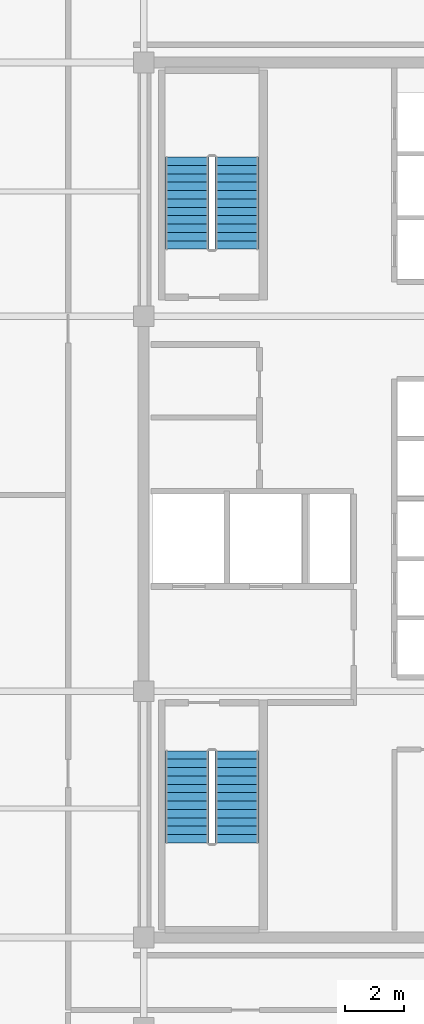
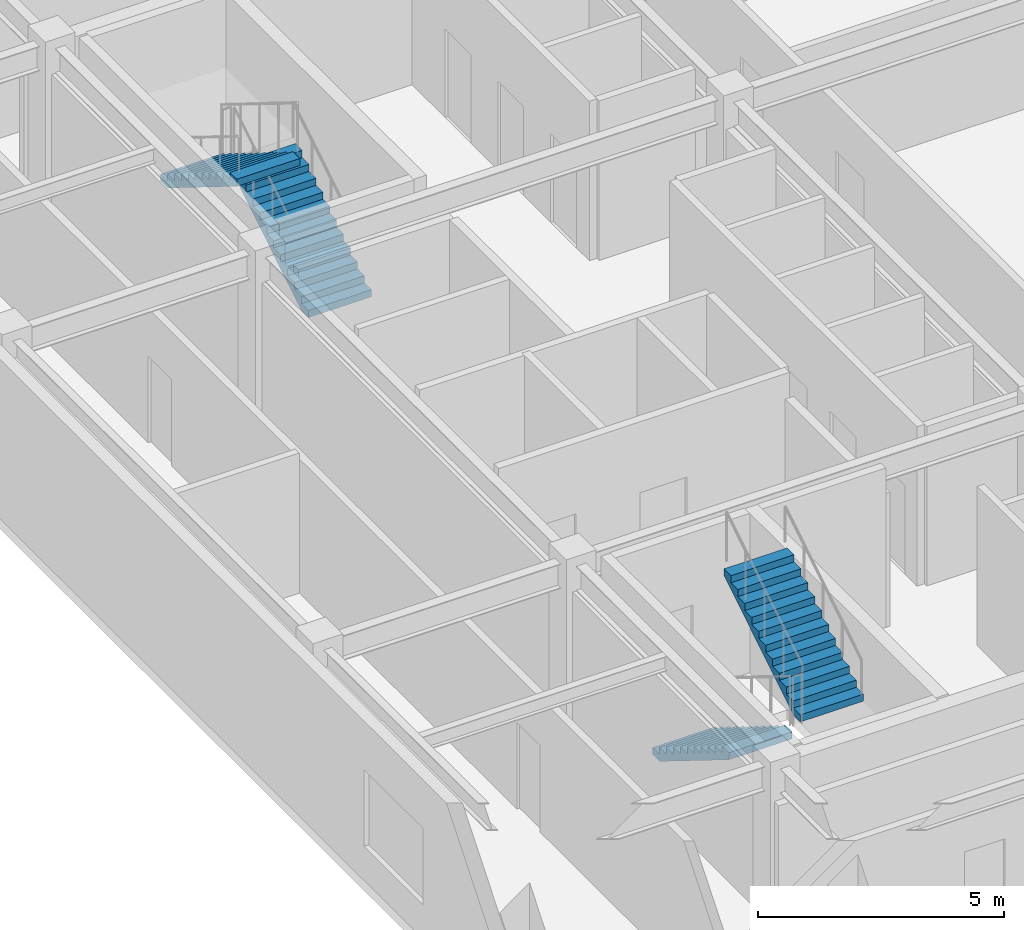
# One storey, part 8 of 11: 4 stair flights, 2 elements without a shape of their own.
"""IFC4 building model written with IfcOpenShell, lengths in metres."""

from ifc_helpers import new_model, si_unit, direction, frame, origin, place, context, subcontext, project, spatial, polyline, outline, extrude, material, type_object, element, aggregate, save


model = new_model("IFC4")

# Units and contexts
model_context = context("Model", 3, precision=1e-05, world=origin(), true_north=direction((0.0, 1.0)))
body_context = subcontext(model_context, "Body", "Model", "MODEL_VIEW")
ifc_project = project(units=[si_unit("LENGTHUNIT", "METRE"), si_unit("AREAUNIT", "SQUARE_METRE"), si_unit("VOLUMEUNIT", "CUBIC_METRE"), si_unit("PLANEANGLEUNIT", "RADIAN"), si_unit("MASSUNIT", "GRAM", prefix="KILO")], contexts=[model_context])

# Site, building, storey
site_placement = place(None, origin())
site = spatial("IfcSite", under=ifc_project, at=site_placement, CompositionType="ELEMENT")
building_placement = place(site_placement, origin())
building = spatial("IfcBuilding", under=site, at=building_placement, Name="Ochreholt Gables", CompositionType="ELEMENT")
storey_placement = place(building_placement, frame((0.0, 0.0, 192.0)))
storey = spatial("IfcBuildingStorey", under=building, at=storey_placement, Name="L50", CompositionType="ELEMENT", Elevation=192.0)

# Stair, stair flights
ifc_material = material(Name="Concrete 40 MPa", Category="concrete")
stair_type_1 = type_object("IfcStairType", Name="STAIR-CORE-ST-1", PredefinedType="HALF_TURN_STAIR", material=ifc_material)
stair_1_placement = place(storey_placement, origin())
stair_1 = element("IfcStair", 1, at=stair_1_placement, inside=storey, type_object=stair_type_1, Name="L50 Core Exit Stair 1", PredefinedType="HALF_TURN_STAIR")
stair_flight_type = type_object("IfcStairFlightType", Name="FLIGHT-ST-1480-1750", PredefinedType="STRAIGHT", material=ifc_material)
stair_flight_1_placement = place(storey_placement, frame((25.659912109375, 15.5400390625, 0.0), z_axis=(0.0, 0.0, 1.0), x_axis=(0.0, -1.0, 0.0)))
stair_flight_1 = element("IfcStairFlight", 2, at=stair_flight_1_placement, type_object=stair_flight_type, Name="ST-1 flight 1", NumberOfRisers=12, NumberOfTreads=11, PredefinedType="STRAIGHT", RiserHeight=0.175, TreadLength=0.282, context=body_context, shape_type="SweptSolid", body=[
    extrude(outline(polyline([(0.0, 0.0), (0.0, 0.175048828125), (0.281982421875, 0.175048828125), (0.281982421875, 0.35009765625), (0.56396484375, 0.35009765625), (0.56396484375, 0.52490234375), (0.845947265625, 0.52490234375), (0.845947265625, 0.699951171875), (1.1279296875, 0.699951171875), (1.1279296875, 0.875), (1.409912109375, 0.875), (1.409912109375, 1.050048828125), (1.69189453125, 1.050048828125), (1.69189453125, 1.22509765625), (1.97412109375, 1.22509765625), (1.97412109375, 1.39990234375), (2.256103515625, 1.39990234375), (2.256103515625, 1.574951171875), (2.5380859375, 1.574951171875), (2.5380859375, 1.75), (2.820068359375, 1.75), (2.820068359375, 1.925048828125), (3.10205078125, 1.925048828125), (3.10205078125, 2.10009765625), (3.10205078125, 1.74853515625), (0.2841796875, 0.0), (0.0, 0.0)])), frame((0.0, 0.739990234375, 0.0), z_axis=(0.0, -1.0, 0.0), x_axis=(1.0, 0.0, 0.0)), (0.0, 0.0, 1.0), 1.47998046875),
])
stair_flight_2_placement = place(storey_placement, frame((27.340087890625, 12.43798828125, 2.10009765625), z_axis=(0.0, 0.0, 1.0), x_axis=(0.0, 1.0, 0.0)))
stair_flight_2 = element("IfcStairFlight", 3, at=stair_flight_2_placement, type_object=stair_flight_type, Name="ST-1 flight 2", NumberOfRisers=12, NumberOfTreads=11, PredefinedType="STRAIGHT", RiserHeight=0.175, TreadLength=0.282, context=body_context, shape_type="SweptSolid", body=[
    extrude(outline(polyline([(0.0, 0.0), (0.0, 0.175048828125), (0.281982421875, 0.175048828125), (0.281982421875, 0.35009765625), (0.56396484375, 0.35009765625), (0.56396484375, 0.52490234375), (0.845947265625, 0.52490234375), (0.845947265625, 0.699951171875), (1.1279296875, 0.699951171875), (1.1279296875, 0.875), (1.409912109375, 0.875), (1.409912109375, 1.050048828125), (1.69189453125, 1.050048828125), (1.69189453125, 1.22509765625), (1.97412109375, 1.22509765625), (1.97412109375, 1.39990234375), (2.256103515625, 1.39990234375), (2.256103515625, 1.574951171875), (2.5380859375, 1.574951171875), (2.5380859375, 1.75), (2.820068359375, 1.75), (2.820068359375, 1.925048828125), (3.10205078125, 1.925048828125), (3.10205078125, 2.10009765625), (3.10205078125, 1.74853515625), (0.2841796875, 0.0), (0.0, 0.0)])), frame((0.0, 0.739990234375, 0.0), z_axis=(0.0, -1.0, 0.0), x_axis=(1.0, 0.0, 0.0)), (0.0, 0.0, 1.0), 1.47998046875),
])
aggregate(stair_1, [stair_flight_1, stair_flight_2])

stair_type_2 = type_object("IfcStairType", Name="STAIR-CORE-ST-2", PredefinedType="HALF_TURN_STAIR", material=ifc_material)
stair_2_placement = place(storey_placement, origin())
stair_2 = element("IfcStair", 4, at=stair_2_placement, inside=storey, type_object=stair_type_2, Name="L50 Core Exit Stair 2", PredefinedType="HALF_TURN_STAIR")
stair_flight_3_placement = place(storey_placement, frame((27.340087890625, 32.4599609375, 0.0), z_axis=(0.0, 0.0, 1.0), x_axis=(0.0, 1.0, 0.0)))
stair_flight_3 = element("IfcStairFlight", 5, at=stair_flight_3_placement, type_object=stair_flight_type, Name="ST-2 flight 1", NumberOfRisers=12, NumberOfTreads=11, PredefinedType="STRAIGHT", RiserHeight=0.175, TreadLength=0.282, context=body_context, shape_type="SweptSolid", body=[
    extrude(outline(polyline([(0.0, 0.0), (0.0, 0.175048828125), (0.281982421875, 0.175048828125), (0.281982421875, 0.35009765625), (0.56396484375, 0.35009765625), (0.56396484375, 0.52490234375), (0.845947265625, 0.52490234375), (0.845947265625, 0.699951171875), (1.1279296875, 0.699951171875), (1.1279296875, 0.875), (1.409912109375, 0.875), (1.409912109375, 1.050048828125), (1.69189453125, 1.050048828125), (1.69189453125, 1.22509765625), (1.97412109375, 1.22509765625), (1.97412109375, 1.39990234375), (2.256103515625, 1.39990234375), (2.256103515625, 1.574951171875), (2.5380859375, 1.574951171875), (2.5380859375, 1.75), (2.820068359375, 1.75), (2.820068359375, 1.925048828125), (3.10205078125, 1.925048828125), (3.10205078125, 2.10009765625), (3.10205078125, 1.74853515625), (0.2841796875, 0.0), (0.0, 0.0)])), frame((0.0, 0.739990234375, 0.0), z_axis=(0.0, -1.0, 0.0), x_axis=(1.0, 0.0, 0.0)), (0.0, 0.0, 1.0), 1.47998046875),
])
stair_flight_4_placement = place(storey_placement, frame((25.659912109375, 35.56201171875, 2.10009765625), z_axis=(0.0, 0.0, 1.0), x_axis=(0.0, -1.0, 0.0)))
stair_flight_4 = element("IfcStairFlight", 6, at=stair_flight_4_placement, type_object=stair_flight_type, Name="ST-2 flight 2", NumberOfRisers=12, NumberOfTreads=11, PredefinedType="STRAIGHT", RiserHeight=0.175, TreadLength=0.282, context=body_context, shape_type="SweptSolid", body=[
    extrude(outline(polyline([(0.0, 0.0), (0.0, 0.175048828125), (0.281982421875, 0.175048828125), (0.281982421875, 0.35009765625), (0.56396484375, 0.35009765625), (0.56396484375, 0.52490234375), (0.845947265625, 0.52490234375), (0.845947265625, 0.699951171875), (1.1279296875, 0.699951171875), (1.1279296875, 0.875), (1.409912109375, 0.875), (1.409912109375, 1.050048828125), (1.69189453125, 1.050048828125), (1.69189453125, 1.22509765625), (1.97412109375, 1.22509765625), (1.97412109375, 1.39990234375), (2.256103515625, 1.39990234375), (2.256103515625, 1.574951171875), (2.5380859375, 1.574951171875), (2.5380859375, 1.75), (2.820068359375, 1.75), (2.820068359375, 1.925048828125), (3.10205078125, 1.925048828125), (3.10205078125, 2.10009765625), (3.10205078125, 1.74853515625), (0.2841796875, 0.0), (0.0, 0.0)])), frame((0.0, 0.739990234375, 0.0), z_axis=(0.0, -1.0, 0.0), x_axis=(1.0, 0.0, 0.0)), (0.0, 0.0, 1.0), 1.47998046875),
])
aggregate(stair_2, [stair_flight_3, stair_flight_4])

save(model, "model.ifc")
